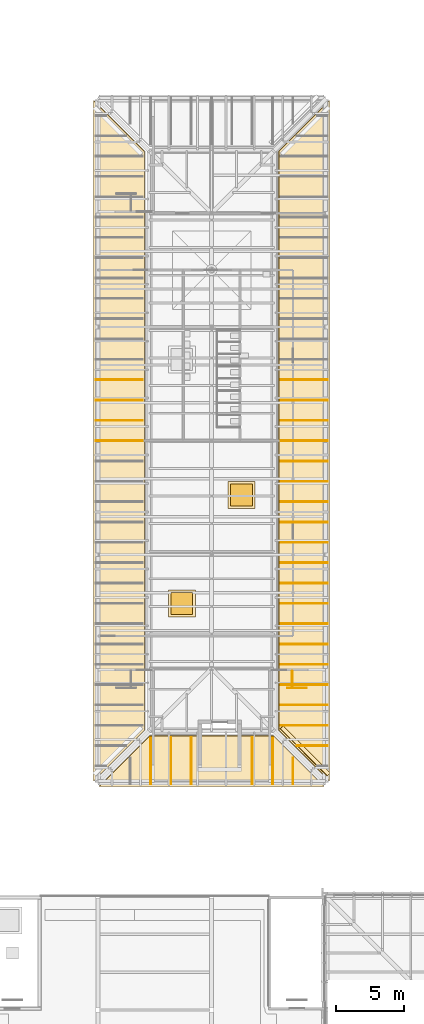
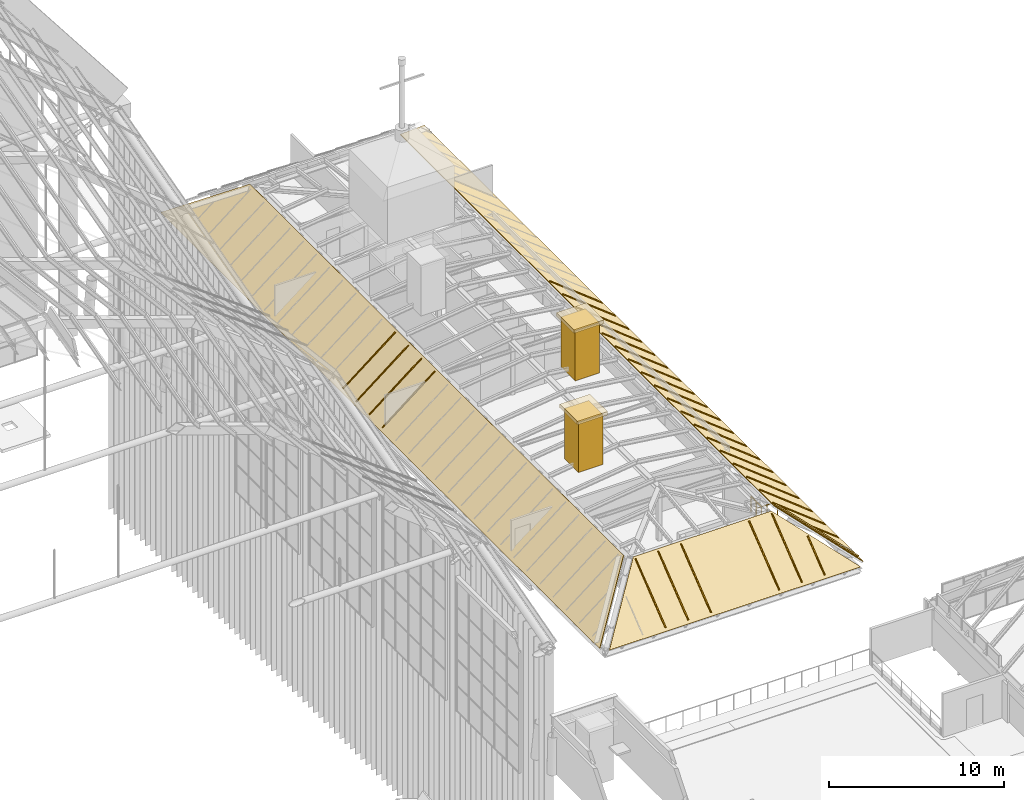
# One storey, part 108 of 126: 37 coverings, 2 railings.
"""IFC4 building model written with IfcOpenShell, lengths in metres."""

from ifc_helpers import new_model, si_unit, direction, frame, origin, origin_2d, place, context, subcontext, project, spatial, polyline, rectangle, circle, outline, extrude, material, layer, layer_set, type_object, element, save


model = new_model("IFC4")

# Units and contexts
model_context = context("Model", 3, precision=1e-05, world=origin(), true_north=direction((0.0, 1.0)))
body_context = subcontext(model_context, "Body", "Model", "MODEL_VIEW")
ifc_project = project(units=[si_unit("LENGTHUNIT", "METRE"), si_unit("AREAUNIT", "SQUARE_METRE"), si_unit("VOLUMEUNIT", "CUBIC_METRE"), si_unit("PLANEANGLEUNIT", "RADIAN"), si_unit("MASSUNIT", "GRAM", prefix="KILO")], contexts=[model_context])

# Site, building, storey
site_placement = place(None, origin())
site = spatial("IfcSite", under=ifc_project, at=site_placement, CompositionType="ELEMENT")
building_placement = place(site_placement, origin())
building = spatial("IfcBuilding", under=site, at=building_placement, Name="Sava Quay Ferry Terminal", CompositionType="ELEMENT")
storey_placement = place(building_placement, frame((0.0, 0.0, 15.0)))
storey = spatial("IfcBuildingStorey", under=building, at=storey_placement, Name="L03", CompositionType="ELEMENT", Elevation=15.0)

# Coverings
ifc_material_1 = material(Name="Limestone Mutalj", Category="masonry")
ifc_layer_1 = layer(ifc_material_1, 0.25)
ifc_layer_set_1 = layer_set([ifc_layer_1], Name="Limestone Mutalj")
covering_type_1 = type_object("IfcCoveringType", Name="Chimney cap 2000", PredefinedType="MOLDING", material=ifc_layer_set_1)
for number, where, z_axis, x_axis, name in (
    (1, (98.60009765625, 72.0, 6.800048828125), (0.0, 0.0, 1.0), (1.0, 0.0, 0.0), "Chimney cap"),
    (2, (103.0, 80.0, 6.800048828125), (0.0, 0.0, 1.0), (1.0, 0.0, 0.0), "Chimney cap"),
):
    element("IfcCovering", number, at=place(storey_placement, frame(where, z_axis=z_axis, x_axis=x_axis)), inside=storey, type_object=covering_type_1, Name=name, PredefinedType="MOLDING", context=body_context, shape_type="SweptSolid", body=[
        extrude(rectangle(XDim=2.0, YDim=2.0, at=origin_2d()), origin(), (0.0, 0.0, 1.0), 0.25),
    ])
ifc_material_2 = material(Name="Masonry blockwork", Category="masonry")
ifc_layer_2 = layer(ifc_material_2, 1.60009765625)
ifc_layer_set_2 = layer_set([ifc_layer_2], Name="Masonry blockwork")
covering_type_2 = type_object("IfcCoveringType", Name="Chimney stack 1600", PredefinedType="CLADDING", material=ifc_layer_set_2)
for number, where, z_axis, x_axis, name in (
    (3, (98.60009765625, 72.0, 3.300048828125), (0.0, 0.0, 1.0), (1.0, 0.0, 0.0), "Chimney stack"),
    (4, (103.0, 80.0, 3.300048828125), (0.0, 0.0, 1.0), (1.0, 0.0, 0.0), "Chimney stack"),
):
    element("IfcCovering", number, at=place(storey_placement, frame(where, z_axis=z_axis, x_axis=x_axis)), inside=storey, type_object=covering_type_2, Name=name, PredefinedType="CLADDING", context=body_context, shape_type="SweptSolid", body=[
        extrude(rectangle(XDim=1.60009765625, YDim=1.60009765625, at=origin_2d()), origin(), (0.0, 0.0, 1.0), 3.5),
    ])

# Railings
ifc_material_3 = material(Name="Steel S355", Category="steel")
railing_type = type_object("IfcRailingType", Name="Guard 1100", PredefinedType="GUARDRAIL", material=ifc_material_3)
railing_1_placement = place(storey_placement, frame((106.75, 65.77001953125, 0.0)))
element("IfcRailing", 5, at=railing_1_placement, inside=storey, type_object=railing_type, Name="Guard at stair well ST-O2 L03", PredefinedType="GUARDRAIL", context=body_context, shape_type="SweptSolid", body=[
    extrude(circle(Radius=0.02392578125, at=origin_2d()), frame((0.0, 0.0, 1.076171875), z_axis=(0.0, 1.0, 0.0), x_axis=(-1.0, 0.0, 0.0)), (0.0, 0.0, 1.0), 1.22998046875),
    extrude(circle(Radius=0.02099609375, at=origin_2d()), origin(), (0.0, 0.0, 1.0), 1.052001953125),
    extrude(circle(Radius=0.02099609375, at=origin_2d()), frame((0.0, 0.614990234375, 0.0)), (0.0, 0.0, 1.0), 1.052001953125),
    extrude(circle(Radius=0.02099609375, at=origin_2d()), frame((0.0, 1.22998046875, 0.0)), (0.0, 0.0, 1.0), 1.052001953125),
])
railing_2_placement = place(storey_placement, frame((106.39990234375, 65.77001953125, 0.0)))
element("IfcRailing", 6, at=railing_2_placement, inside=storey, type_object=railing_type, Name="Guard at stair well ST-O2 L03", PredefinedType="GUARDRAIL", context=body_context, shape_type="SweptSolid", body=[
    extrude(circle(Radius=0.02392578125, at=origin_2d()), frame((0.0, 0.0, 1.076171875), z_axis=(1.0, 0.0, 0.0), x_axis=(0.0, 1.0, 0.0)), (0.0, 0.0, 1.0), 1.400146484375),
    extrude(circle(Radius=0.02099609375, at=origin_2d()), origin(), (0.0, 0.0, 1.0), 1.052001953125),
    extrude(circle(Radius=0.02099609375, at=origin_2d()), frame((0.7001953125, 0.0, 0.0)), (0.0, 0.0, 1.0), 1.052001953125),
    extrude(circle(Radius=0.02099609375, at=origin_2d()), frame((1.400146484375, 0.0, 0.0)), (0.0, 0.0, 1.0), 1.052001953125),
])

# Coverings
ifc_material_4 = material(Name="Zinc standing seam")
ifc_layer_3 = layer(ifc_material_4, 0.06005859375)
ifc_layer_set_3 = layer_set([ifc_layer_3], Name="Zinc standing seam")
covering_type_3 = type_object("IfcCoveringType", Name="Roof ridge roll 300", PredefinedType="ROOFING", material=ifc_layer_set_3)
covering_1_placement = place(storey_placement, frame((109.347412109375, 59.27099609375, 0.666259765625), z_axis=(0.6178826898, 9.4942194e-05, 0.786270292349), x_axis=(-0.618097589996, 0.61814098531, 0.485651203562)))
element("IfcCovering", 7, at=covering_1_placement, inside=storey, type_object=covering_type_3, Name="Hip roll", PredefinedType="ROOFING", context=body_context, shape_type="SweptSolid", body=[
    extrude(outline(polyline([(0.0, 0.0), (5.625802438508266, 0.0), (5.544830255523669, -0.3335725153932704), (-0.08082126965810543, -0.3337644263416951), (0.0, 0.0)])), origin(), (0.0, 0.0, -1.0), 0.06005859375),
])
ifc_material_5 = material(Name="Zinc standing seam")
ifc_layer_4 = layer(ifc_material_5, 0.0400390625)
ifc_layer_set_4 = layer_set([ifc_layer_4], Name="Zinc standing seam")
covering_type_4 = type_object("IfcCoveringType", Name="Roof seam rib 60", PredefinedType="ROOFING", material=ifc_layer_set_4)
covering_2_placement = place(storey_placement, frame((106.77001953125, 58.646484375, 0.635986328125), z_axis=(0.0, -0.617834697538, 0.786308009954), x_axis=(0.0, 0.786308009954, 0.617834697538)))
element("IfcCovering", 8, at=covering_2_placement, inside=storey, type_object=covering_type_4, Name="Roof seam rib", PredefinedType="ROOFING", context=body_context, shape_type="SweptSolid", body=[
    extrude(outline(polyline([(0.0, 0.0), (2.460631748158235, 0.0), (2.460631748158235, -0.06005859375), (0.0, -0.06005859375), (0.0, 0.0)])), origin(), (0.0, 0.0, -1.0), 0.0400390625),
])
covering_3_placement = place(storey_placement, frame((105.27001953125, 58.646484375, 0.635986328125), z_axis=(0.0, -0.617848702502, 0.786297005473), x_axis=(0.0, 0.786297005473, 0.617848702502)))
element("IfcCovering", 9, at=covering_3_placement, inside=storey, type_object=covering_type_4, Name="Roof seam rib", PredefinedType="ROOFING", context=body_context, shape_type="SweptSolid", body=[
    extrude(outline(polyline([(0.0, 0.0), (4.368342279337475, 0.0), (4.368342279337475, -0.06005859375), (0.0, -0.06005859375), (0.0, 0.0)])), origin(), (0.0, 0.0, -1.0), 0.0400390625),
])
for number, where, z_axis, x_axis, name in (
    (10, (103.77001953125, 58.646484375, 0.635986328125), (0.0, -0.617816621885, 0.786322212406), (0.0, 0.786322212406, 0.617816621885), "Roof seam rib"),
    (11, (99.27001953125, 58.646484375, 0.635986328125), (0.0, -0.617816621885, 0.786322212406), (0.0, 0.786322212406, 0.617816621885), "Roof seam rib"),
    (12, (97.77001953125, 58.646484375, 0.635986328125), (0.0, -0.617816621885, 0.786322212406), (0.0, 0.786322212406, 0.617816621885), "Roof seam rib"),
):
    element("IfcCovering", number, at=place(storey_placement, frame(where, z_axis=z_axis, x_axis=x_axis)), inside=storey, type_object=covering_type_4, Name=name, PredefinedType="ROOFING", context=body_context, shape_type="SweptSolid", body=[
        extrude(outline(polyline([(0.0, 0.0), (4.374101444340009, 0.0), (4.374101444340009, -0.060058593750000014), (0.0, -0.060058593750000014), (0.0, 0.0)])), origin(), (0.0, 0.0, -1.0), 0.0400390625),
    ])
covering_4_placement = place(storey_placement, frame((96.27001953125, 58.646484375, 0.635986328125), z_axis=(0.0, -0.617848702502, 0.786297005473), x_axis=(0.0, 0.786297005473, 0.617848702502)))
element("IfcCovering", 13, at=covering_4_placement, inside=storey, type_object=covering_type_4, Name="Roof seam rib", PredefinedType="ROOFING", context=body_context, shape_type="SweptSolid", body=[
    extrude(outline(polyline([(0.0, 0.0), (4.368342279337475, 0.0), (4.368342279337475, -0.06005859375), (0.0, -0.06005859375), (0.0, 0.0)])), origin(), (0.0, 0.0, -1.0), 0.0400390625),
])
for number, where, z_axis, x_axis, name in (
    (14, (109.353515625, 88.469970703125, 0.635986328125), (0.617816621885, 0.0, 0.786322212406), (-0.786322212406, 0.0, 0.617816621885), "Roof seam rib"),
    (15, (109.353515625, 86.969970703125, 0.635986328125), (0.617816621885, 0.0, 0.786322212406), (-0.786322212406, 0.0, 0.617816621885), "Roof seam rib"),
    (16, (109.353515625, 85.469970703125, 0.635986328125), (0.617816621885, 0.0, 0.786322212406), (-0.786322212406, 0.0, 0.617816621885), "Roof seam rib"),
    (17, (109.353515625, 83.969970703125, 0.635986328125), (0.617816621885, 0.0, 0.786322212406), (-0.786322212406, 0.0, 0.617816621885), "Roof seam rib"),
    (18, (109.353515625, 82.469970703125, 0.635986328125), (0.617816621885, 0.0, 0.786322212406), (-0.786322212406, 0.0, 0.617816621885), "Roof seam rib"),
    (19, (109.353515625, 80.969970703125, 0.635986328125), (0.617816621885, 0.0, 0.786322212406), (-0.786322212406, 0.0, 0.617816621885), "Roof seam rib"),
    (20, (109.353515625, 79.469970703125, 0.635986328125), (0.617816621885, 0.0, 0.786322212406), (-0.786322212406, 0.0, 0.617816621885), "Roof seam rib"),
    (21, (109.353515625, 77.969970703125, 0.635986328125), (0.617816621885, 0.0, 0.786322212406), (-0.786322212406, 0.0, 0.617816621885), "Roof seam rib"),
    (22, (109.353515625, 76.469970703125, 0.635986328125), (0.617816621885, 0.0, 0.786322212406), (-0.786322212406, 0.0, 0.617816621885), "Roof seam rib"),
    (23, (109.353515625, 74.969970703125, 0.635986328125), (0.617816621885, 0.0, 0.786322212406), (-0.786322212406, 0.0, 0.617816621885), "Roof seam rib"),
    (24, (109.353515625, 73.469970703125, 0.635986328125), (0.617816621885, 0.0, 0.786322212406), (-0.786322212406, 0.0, 0.617816621885), "Roof seam rib"),
    (25, (109.353515625, 71.969970703125, 0.635986328125), (0.617816621885, 0.0, 0.786322212406), (-0.786322212406, 0.0, 0.617816621885), "Roof seam rib"),
    (26, (109.353515625, 70.469970703125, 0.635986328125), (0.617816621885, 0.0, 0.786322212406), (-0.786322212406, 0.0, 0.617816621885), "Roof seam rib"),
    (27, (109.353515625, 68.969970703125, 0.635986328125), (0.617816621885, 0.0, 0.786322212406), (-0.786322212406, 0.0, 0.617816621885), "Roof seam rib"),
    (28, (109.353515625, 67.469970703125, 0.635986328125), (0.617816621885, 0.0, 0.786322212406), (-0.786322212406, 0.0, 0.617816621885), "Roof seam rib"),
    (29, (109.353515625, 65.969970703125, 0.635986328125), (0.617816621885, 0.0, 0.786322212406), (-0.786322212406, 0.0, 0.617816621885), "Roof seam rib"),
    (30, (109.353515625, 64.469970703125, 0.635986328125), (0.617816621885, 0.0, 0.786322212406), (-0.786322212406, 0.0, 0.617816621885), "Roof seam rib"),
    (31, (109.353515625, 62.969970703125, 0.635986328125), (0.617816621885, 0.0, 0.786322212406), (-0.786322212406, 0.0, 0.617816621885), "Roof seam rib"),
):
    element("IfcCovering", number, at=place(storey_placement, frame(where, z_axis=z_axis, x_axis=x_axis)), inside=storey, type_object=covering_type_4, Name=name, PredefinedType="ROOFING", context=body_context, shape_type="SweptSolid", body=[
        extrude(outline(polyline([(0.0, 0.0), (4.374101444340009, 0.0), (4.374101444340009, -0.060058593750000014), (0.0, -0.060058593750000014), (0.0, 0.0)])), origin(), (0.0, 0.0, -1.0), 0.0400390625),
    ])
covering_5_placement = place(storey_placement, frame((109.353515625, 61.469970703125, 0.635986328125), z_axis=(0.617851899682, 0.0, 0.786294493214), x_axis=(-0.786294493214, 0.0, 0.617851899682)))
element("IfcCovering", 32, at=covering_5_placement, inside=storey, type_object=covering_type_4, Name="Roof seam rib", PredefinedType="ROOFING", context=body_context, shape_type="SweptSolid", body=[
    extrude(outline(polyline([(0.0, 0.0), (2.842272584301161, 0.0), (2.842272584301161, -0.06005859375), (0.0, -0.06005859375), (0.0, 0.0)])), origin(), (0.0, 0.0, -1.0), 0.0400390625),
])
for number, where, z_axis, x_axis, name in (
    (33, (92.246337890625, 84.030029296875, 0.635986328125), (-0.6177895076, 0.0, 0.786343515456), (0.786343515456, 0.0, 0.6177895076), "Roof seam rib"),
    (34, (92.246337890625, 85.530029296875, 0.635986328125), (-0.6177895076, 0.0, 0.786343515456), (0.786343515456, 0.0, 0.6177895076), "Roof seam rib"),
    (35, (92.246337890625, 87.030029296875, 0.635986328125), (-0.6177895076, 0.0, 0.786343515456), (0.786343515456, 0.0, 0.6177895076), "Roof seam rib"),
    (36, (92.246337890625, 88.530029296875, 0.635986328125), (-0.6177895076, 0.0, 0.786343515456), (0.786343515456, 0.0, 0.6177895076), "Roof seam rib"),
):
    element("IfcCovering", number, at=place(storey_placement, frame(where, z_axis=z_axis, x_axis=x_axis)), inside=storey, type_object=covering_type_4, Name=name, PredefinedType="ROOFING", context=body_context, shape_type="SweptSolid", body=[
        extrude(outline(polyline([(0.0, 0.0), (4.374293420136924, 0.0), (4.374293420136924, -0.06005859375), (0.0, -0.06005859375), (0.0, 0.0)])), origin(), (0.0, 0.0, -1.0), 0.0400390625),
    ])
ifc_material_6 = material(Name="Zinc standing seam sheet")
ifc_layer_5 = layer(ifc_material_6, 0.0400390625)
ifc_layer_set_5 = layer_set([ifc_layer_5], Name="Zinc standing seam sheet")
covering_type_5 = type_object("IfcCoveringType", Name="Standing seam roofing 40", PredefinedType="ROOFING", material=ifc_layer_set_5)
covering_6_placement = place(storey_placement, frame((92.5029296875, 58.496337890625, 0.46728515625), z_axis=(0.0, -0.617803414871, 0.786332589032), x_axis=(0.618097086075, 0.61813743974, 0.485656357702)))
element("IfcCovering", 37, at=covering_6_placement, inside=storey, type_object=covering_type_5, Name="Mansard roofing O-L0", PredefinedType="ROOFING", context=body_context, shape_type="SweptSolid", body=[
    extrude(outline(polyline([(0.0, 0.0), (6.050023592359083, 2.220446049250313e-16), (11.683972495832641, -7.165309953226078), (10.25685032728265, -13.044760078231594), (0.0, 0.0)])), origin(), (0.0, 0.0, -1.0), 0.0400390625),
])
covering_7_placement = place(storey_placement, frame((109.503662109375, 58.90283203125, 0.46728515625), z_axis=(0.617803414871, 0.0, 0.786332589032), x_axis=(-0.618122021932, 0.618122021932, 0.485644244284)))
element("IfcCovering", 38, at=covering_7_placement, inside=storey, type_object=covering_type_5, Name="Mansard roofing O-L1", PredefinedType="ROOFING", context=body_context, shape_type="SweptSolid", body=[
    extrude(outline(polyline([(0.0, 0.0), (6.0501744980119545, -2.220446049250313e-16), (32.45316008325325, -33.57737674048487), (31.026224419200215, -39.45687213269735), (0.0, 0.0)])), origin(), (0.0, 0.0, -1.0), 0.0400390625),
])
covering_8_placement = place(storey_placement, frame((92.096435546875, 109.09716796875, 0.46728515625), z_axis=(-0.617828353519, 0.0, 0.78631299467), x_axis=(0.618097086075, -0.61813743974, 0.485656357702)))
element("IfcCovering", 39, at=covering_8_placement, inside=storey, type_object=covering_type_5, Name="Mansard roofing O-L3", PredefinedType="ROOFING", context=body_context, shape_type="SweptSolid", body=[
    extrude(outline(polyline([(0.0, 0.0), (6.050023592359083, 4.440892098500626e-16), (32.45366774689629, -33.57685887553342), (31.026998305876955, -39.456263588101095), (0.0, 0.0)])), origin(), (0.0, 0.0, -1.0), 0.0400390625),
])

save(model, "model.ifc")
